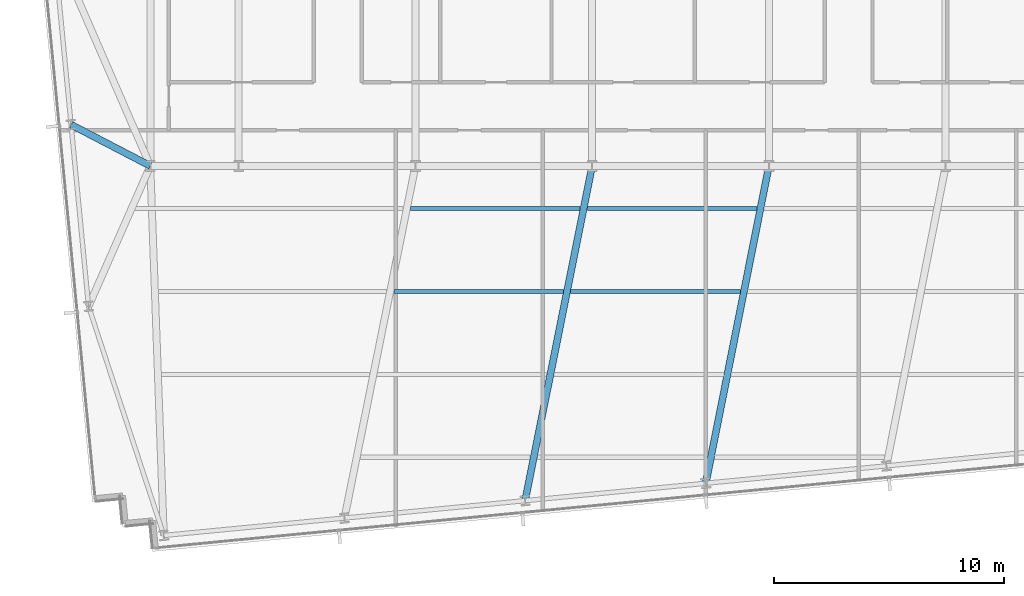
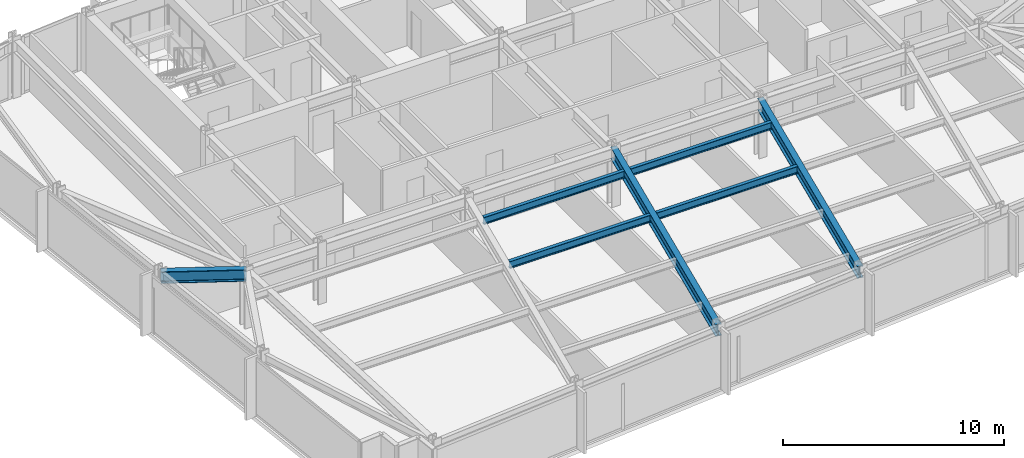
# One storey, part 5 of 33: 7 beams.
"""IFC4 building model written with IfcOpenShell, lengths in metres."""

from ifc_helpers import new_model, si_unit, direction, frame, origin, origin_2d, place, context, subcontext, project, spatial, i_section, extrude, material, material_profile, profile_set, type_object, element, save


model = new_model("IFC4")

# Units and contexts
model_context = context("Model", 3, precision=1e-05, world=origin(), true_north=direction((0.0, 1.0)))
body_context = subcontext(model_context, "Body", "Model", "MODEL_VIEW")
ifc_project = project(units=[si_unit("LENGTHUNIT", "METRE"), si_unit("AREAUNIT", "SQUARE_METRE"), si_unit("VOLUMEUNIT", "CUBIC_METRE"), si_unit("PLANEANGLEUNIT", "RADIAN"), si_unit("MASSUNIT", "GRAM", prefix="KILO")], contexts=[model_context])

# Site, building, storey
site_placement = place(None, origin())
site = spatial("IfcSite", under=ifc_project, at=site_placement, CompositionType="ELEMENT")
building_placement = place(site_placement, origin())
building = spatial("IfcBuilding", under=site, at=building_placement, Name="Yelkora Congress Tower", CompositionType="ELEMENT")
storey_placement = place(building_placement, frame((0.0, 0.0, 110.10009765625)))
storey = spatial("IfcBuildingStorey", under=building, at=storey_placement, Name="L29", CompositionType="ELEMENT", Elevation=110.10009765625)

# Beams
ifc_material = material(Name="Steel S355J2", Category="steel")
ifc_material_profile_1 = material_profile(ifc_material, i_section(OverallWidth=0.300048828125, OverallDepth=0.64990234375, WebThickness=0.01611328125, FlangeThickness=0.031005859375, FilletRadius=0.027099609375, at=origin_2d()), Name="HEB 650")
ifc_profile_set_1 = profile_set([ifc_material_profile_1], Name="Steel S355J2")
beam_type_1 = type_object("IfcBeamType", Name="BM-GIRD-HEB650", PredefinedType="BEAM", material=ifc_profile_set_1)
beam_1_placement = place(storey_placement, frame((35.48486328125, 10.656005859375, 2.85498046875), z_axis=(0.196521264673, 0.980499562739, 0.0), x_axis=(-0.980499562739, 0.196521264673, 0.0)))
element("IfcBeam", 1, at=beam_1_placement, inside=storey, type_object=beam_type_1, Name="L29 Primary Frame Girder S03", PredefinedType="BEAM", context=body_context, shape_type="SweptSolid", body=[
    extrude(i_section(OverallWidth=0.300048828125, OverallDepth=0.64990234375, WebThickness=0.01611328125, FlangeThickness=0.031005859375, FilletRadius=0.027099609375, at=origin_2d()), origin(), (0.0, 0.0, 1.0), 14.833251953125),
])
beam_2_placement = place(storey_placement, frame((43.334228515625, 11.411865234375, 2.85498046875), z_axis=(0.195311238928, 0.980741311432, 0.0), x_axis=(-0.980741311432, 0.195311238928, 0.0)))
element("IfcBeam", 2, at=beam_2_placement, inside=storey, type_object=beam_type_1, Name="L29 Primary Frame Girder S04", PredefinedType="BEAM", context=body_context, shape_type="SweptSolid", body=[
    extrude(i_section(OverallWidth=0.300048828125, OverallDepth=0.64990234375, WebThickness=0.01611328125, FlangeThickness=0.031005859375, FilletRadius=0.027099609375, at=origin_2d()), origin(), (0.0, 0.0, 1.0), 14.058837890625),
])
beam_3_placement = place(storey_placement, frame((15.757080078125, 26.990478515625, 2.85498046875), z_axis=(0.887192078676, -0.461400276912, 0.0), x_axis=(0.461400276912, 0.887192078676, 0.0)))
element("IfcBeam", 3, at=beam_3_placement, inside=storey, type_object=beam_type_1, Name="L29 Primary Frame Girder W02", PredefinedType="BEAM", context=body_context, shape_type="SweptSolid", body=[
    extrude(i_section(OverallWidth=0.300048828125, OverallDepth=0.64990234375, WebThickness=0.01611328125, FlangeThickness=0.031005859375, FilletRadius=0.027099609375, at=origin_2d()), origin(), (0.0, 0.0, 1.0), 3.880615234375),
])
ifc_material_profile_2 = material_profile(ifc_material, i_section(OverallWidth=0.179931640625, OverallDepth=0.39990234375, WebThickness=0.008544921875, FlangeThickness=0.013427734375, FilletRadius=0.02099609375, at=origin_2d()), Name="IPE 400")
ifc_profile_set_2 = profile_set([ifc_material_profile_2], Name="Steel S355J2")
beam_type_2 = type_object("IfcBeamType", Name="BM-JOIST-IPE400", PredefinedType="JOIST", material=ifc_profile_set_2)
beam_4_placement = place(storey_placement, frame((29.780029296875, 19.744384765625, 2.97998046875), z_axis=(1.0, 0.0, 0.0), x_axis=(0.0, 1.0, 0.0)))
element("IfcBeam", 4, at=beam_4_placement, inside=storey, type_object=beam_type_2, Name="L29 Composite Floor Joist 12", PredefinedType="JOIST", context=body_context, shape_type="SweptSolid", body=[
    extrude(i_section(OverallWidth=0.179931640625, OverallDepth=0.39990234375, WebThickness=0.008544921875, FlangeThickness=0.013427734375, FilletRadius=0.02099609375, at=origin_2d()), origin(), (0.0, 0.0, 1.0), 7.366455078125),
])
beam_5_placement = place(storey_placement, frame((37.466552734375, 19.744384765625, 2.97998046875), z_axis=(1.0, 0.0, 0.0), x_axis=(0.0, 1.0, 0.0)))
element("IfcBeam", 5, at=beam_5_placement, inside=storey, type_object=beam_type_2, Name="L29 Composite Floor Joist 13", PredefinedType="JOIST", context=body_context, shape_type="SweptSolid", body=[
    extrude(i_section(OverallWidth=0.179931640625, OverallDepth=0.39990234375, WebThickness=0.008544921875, FlangeThickness=0.013427734375, FilletRadius=0.02099609375, at=origin_2d()), origin(), (0.0, 0.0, 1.0), 7.366943359375),
])
beam_6_placement = place(storey_placement, frame((30.505859375, 23.344482421875, 2.97998046875), z_axis=(1.0, 0.0, 0.0), x_axis=(0.0, 1.0, 0.0)))
element("IfcBeam", 6, at=beam_6_placement, inside=storey, type_object=beam_type_2, Name="L29 Composite Floor Joist 19", PredefinedType="JOIST", context=body_context, shape_type="SweptSolid", body=[
    extrude(i_section(OverallWidth=0.179931640625, OverallDepth=0.39990234375, WebThickness=0.008544921875, FlangeThickness=0.013427734375, FilletRadius=0.02099609375, at=origin_2d()), origin(), (0.0, 0.0, 1.0), 7.3623046875),
])
beam_7_placement = place(storey_placement, frame((38.18798828125, 23.344482421875, 2.97998046875), z_axis=(1.0, 0.0, 0.0), x_axis=(0.0, 1.0, 0.0)))
element("IfcBeam", 7, at=beam_7_placement, inside=storey, type_object=beam_type_2, Name="L29 Composite Floor Joist 20", PredefinedType="JOIST", context=body_context, shape_type="SweptSolid", body=[
    extrude(i_section(OverallWidth=0.179931640625, OverallDepth=0.39990234375, WebThickness=0.008544921875, FlangeThickness=0.013427734375, FilletRadius=0.02099609375, at=origin_2d()), origin(), (0.0, 0.0, 1.0), 7.362548828125),
])

save(model, "model.ifc")
